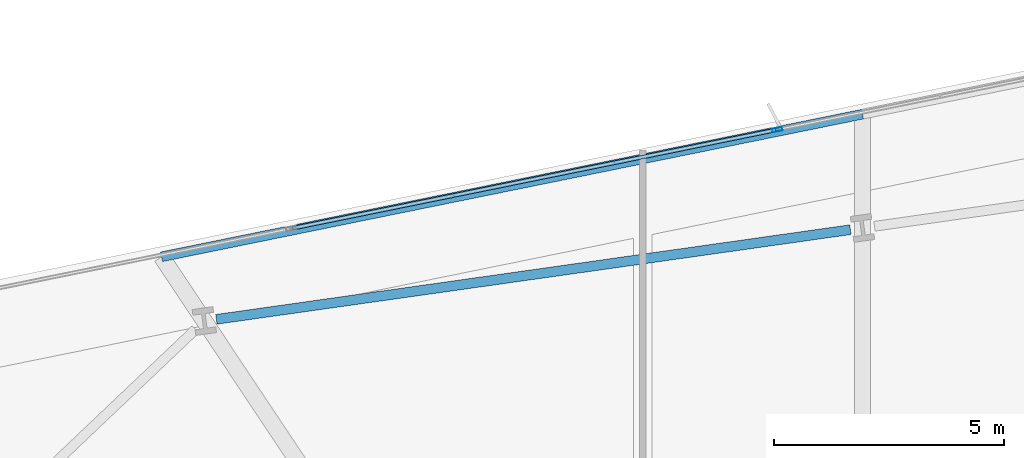
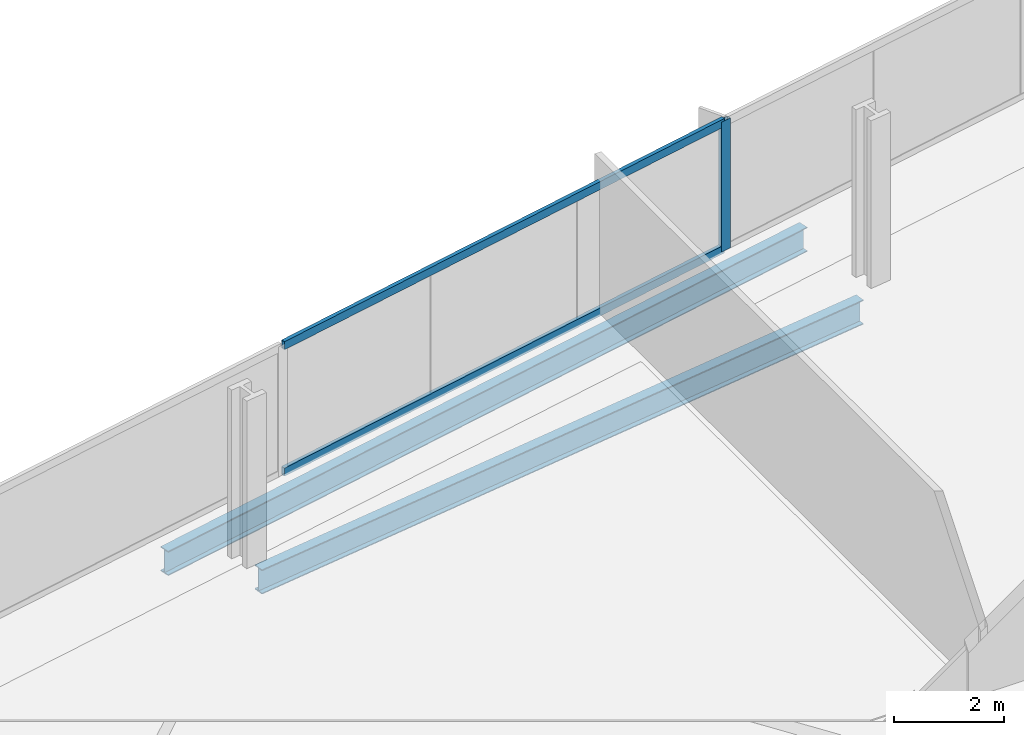
# One storey, part 18 of 33: 3 members, 2 beams, 1 element without a shape of its own.
"""IFC4 building model written with IfcOpenShell, lengths in metres."""

from ifc_helpers import new_model, si_unit, direction, frame, origin, origin_2d, place, context, subcontext, project, spatial, hollow_rectangle, i_section, extrude, material, material_profile, profile_set, type_object, element, aggregate, save


model = new_model("IFC4")

# Units and contexts
model_context = context("Model", 3, precision=1e-05, world=origin(), true_north=direction((0.0, 1.0)))
body_context = subcontext(model_context, "Body", "Model", "MODEL_VIEW")
ifc_project = project(units=[si_unit("LENGTHUNIT", "METRE"), si_unit("AREAUNIT", "SQUARE_METRE"), si_unit("VOLUMEUNIT", "CUBIC_METRE"), si_unit("PLANEANGLEUNIT", "RADIAN"), si_unit("MASSUNIT", "GRAM", prefix="KILO")], contexts=[model_context])

# Site, building, storey
site_placement = place(None, origin())
site = spatial("IfcSite", under=ifc_project, at=site_placement, CompositionType="ELEMENT")
building_placement = place(site_placement, origin())
building = spatial("IfcBuilding", under=site, at=building_placement, Name="Haldenkirk Collegiate Tower", CompositionType="ELEMENT")
storey_placement = place(building_placement, frame((0.0, 0.0, 66.449951171875)))
storey = spatial("IfcBuildingStorey", under=building, at=storey_placement, Name="L15", CompositionType="ELEMENT", Elevation=66.449951171875)

# Beams
ifc_material_1 = material(Name="Steel ASTM A992 Grade 50", Category="steel")
ifc_material_profile_1 = material_profile(ifc_material_1, i_section(OverallWidth=0.2119140625, OverallDepth=0.5439453125, WebThickness=0.01318359375, FlangeThickness=0.021240234375, at=origin_2d()), Name="W21X83")
ifc_profile_set_1 = profile_set([ifc_material_profile_1], Name="Steel ASTM A992 Grade 50")
beam_type = type_object("IfcBeamType", Name="BM-SPANDREL-W21X83", PredefinedType="SPANDREL", material=ifc_profile_set_1)
beam_1_placement = place(storey_placement, frame((32.51025390625, 48.785888671875, -0.58203125), z_axis=(-0.990146197746, -0.14003752029, 0.0), x_axis=(0.14003752029, -0.990146197746, 0.0)))
element("IfcBeam", 1, at=beam_1_placement, inside=storey, type_object=beam_type, Name="L15 perimeter spandrel beam 11", PredefinedType="SPANDREL", context=body_context, shape_type="SweptSolid", body=[
    extrude(i_section(OverallWidth=0.2119140625, OverallDepth=0.5439453125, WebThickness=0.01318359375, FlangeThickness=0.021240234375, at=origin_2d()), origin(), (0.0, 0.0, 1.0), 13.906982421875),
])
beam_2_placement = place(storey_placement, frame((32.772216796875, 51.294189453125, -0.58203125), z_axis=(-0.979927348779, -0.199354937521, 0.0), x_axis=(0.199354937521, -0.979927348779, 0.0)))
element("IfcBeam", 2, at=beam_2_placement, inside=storey, type_object=beam_type, Name="L15 outer facade edge beam 3B", PredefinedType="SPANDREL", context=body_context, shape_type="SweptSolid", body=[
    extrude(i_section(OverallWidth=0.2119140625, OverallDepth=0.5439453125, WebThickness=0.01318359375, FlangeThickness=0.021240234375, at=origin_2d()), origin(), (0.0, 0.0, 1.0), 15.53466796875),
])

# Curtain wall, members
ifc_material_2 = material(Name="Anodised architectural bronze aluminium", Category="aluminium")
curtain_wall_type = type_object("IfcCurtainWallType", Name="CW-SYS1-CONVEX-LOW", PredefinedType="USERDEFINED", material=ifc_material_2)
curtain_wall_placement = place(storey_placement, origin())
curtain_wall = element("IfcCurtainWall", 3, at=curtain_wall_placement, inside=storey, type_object=curtain_wall_type, Name="L15 Lower tower convex bronze-framed unitised curtain wall", ObjectType="UNITISED CURTAIN WALL", PredefinedType="USERDEFINED")
ifc_material_profile_2 = material_profile(ifc_material_2, hollow_rectangle(XDim=0.080078125, YDim=0.219970703125, WallThickness=0.0048828125, at=origin_2d()), Name="CW-MUL-1A")
ifc_profile_set_2 = profile_set([ifc_material_profile_2], Name="Anodised architectural bronze aluminium")
member_type_1 = type_object("IfcMemberType", Name="CW-MUL-1A", PredefinedType="MULLION", material=ifc_profile_set_2)
member_1_placement = place(storey_placement, frame((30.922119140625, 50.958740234375, 0.0), z_axis=(0.0, 0.0, 1.0), x_axis=(-0.199368665738, 0.979924555832, 0.0)))
member_1 = element("IfcMember", 4, at=member_1_placement, type_object=member_type_1, Name="CW-1A mullion 3", PredefinedType="MULLION", context=body_context, shape_type="SweptSolid", body=[
    extrude(hollow_rectangle(XDim=0.080078125, YDim=0.219970703125, WallThickness=0.0048828125, at=origin_2d()), origin(), (0.0, 0.0, 1.0), 2.89111328125),
])
ifc_material_profile_3 = material_profile(ifc_material_2, hollow_rectangle(XDim=0.080078125, YDim=0.179931640625, WallThickness=0.0048828125, at=origin_2d()), Name="CW-TRN-1A")
ifc_profile_set_3 = profile_set([ifc_material_profile_3], Name="Anodised architectural bronze aluminium")
member_type_2 = type_object("IfcMemberType", Name="CW-TRN-1A", PredefinedType="USERDEFINED", material=ifc_profile_set_3)
member_2_placement = place(storey_placement, frame((20.402587890625, 48.818359375, 0.0400390625), z_axis=(0.97992290667, 0.199376771423, 0.0), x_axis=(-0.199376771423, 0.97992290667, 0.0)))
member_2 = element("IfcMember", 5, at=member_2_placement, type_object=member_type_2, Name="CW-1A transom 2.1", ObjectType="TRANSOM", PredefinedType="USERDEFINED", context=body_context, shape_type="SweptSolid", body=[
    extrude(hollow_rectangle(XDim=0.080078125, YDim=0.179931640625, WallThickness=0.0048828125, at=origin_2d()), origin(), (0.0, 0.0, 1.0), 10.695068359375),
])
member_3_placement = place(storey_placement, frame((20.402587890625, 48.818359375, 2.85107421875), z_axis=(0.97992290667, 0.199376771423, 0.0), x_axis=(-0.199376771423, 0.97992290667, 0.0)))
member_3 = element("IfcMember", 6, at=member_3_placement, type_object=member_type_2, Name="CW-1A transom 2.2", ObjectType="TRANSOM", PredefinedType="USERDEFINED", context=body_context, shape_type="SweptSolid", body=[
    extrude(hollow_rectangle(XDim=0.080078125, YDim=0.179931640625, WallThickness=0.0048828125, at=origin_2d()), origin(), (0.0, 0.0, 1.0), 10.695068359375),
])
aggregate(curtain_wall, [member_1, member_2, member_3])

save(model, "model.ifc")
